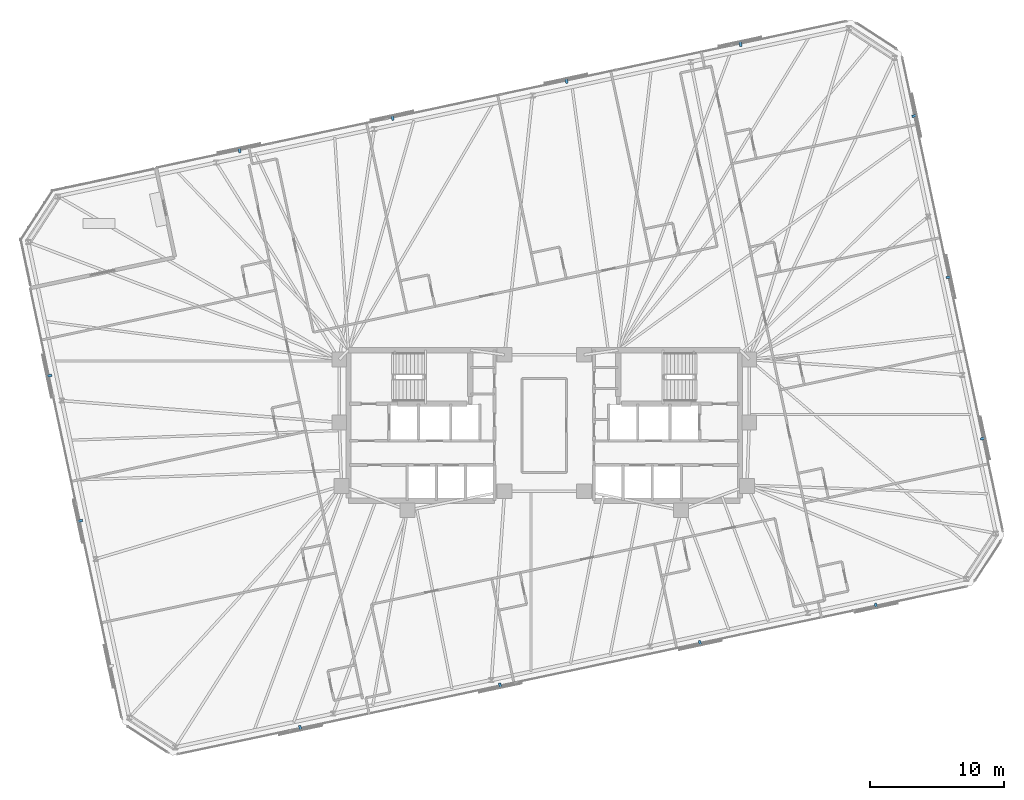
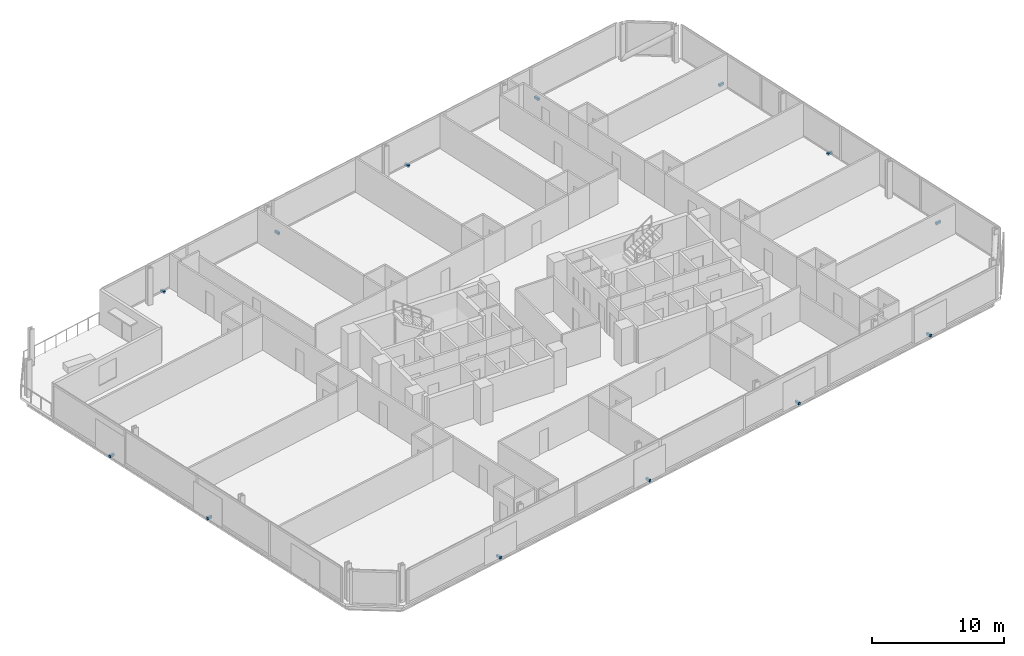
# One storey, part 19 of 20: 13 discrete accessories.
"""IFC4 building model written with IfcOpenShell, lengths in metres."""

from ifc_helpers import new_model, si_unit, direction, frame, origin, origin_2d, place, context, subcontext, project, spatial, rectangle, extrude, material, type_object, element, save


model = new_model("IFC4")

# Units and contexts
model_context = context("Model", 3, precision=1e-05, world=origin(), true_north=direction((0.0, 1.0)))
body_context = subcontext(model_context, "Body", "Model", "MODEL_VIEW")
ifc_project = project(units=[si_unit("LENGTHUNIT", "METRE"), si_unit("AREAUNIT", "SQUARE_METRE"), si_unit("VOLUMEUNIT", "CUBIC_METRE"), si_unit("PLANEANGLEUNIT", "RADIAN"), si_unit("MASSUNIT", "GRAM", prefix="KILO")], contexts=[model_context])

# Site, building, storey
site_placement = place(None, origin())
site = spatial("IfcSite", under=ifc_project, at=site_placement, CompositionType="ELEMENT")
building_placement = place(site_placement, origin())
building = spatial("IfcBuilding", under=site, at=building_placement, Name="Menara Jurai Vektor", CompositionType="ELEMENT")
storey_placement = place(building_placement, frame((0.0, 0.0, 175.199951171875)))
storey = spatial("IfcBuildingStorey", under=building, at=storey_placement, Name="L45", CompositionType="ELEMENT", Elevation=175.199951171875)

# Discrete accessories
ifc_material = material(Name="Steel S355", Category="steel")
discrete_accessory_type = type_object("IfcDiscreteAccessoryType", Name="ENV-ACC-BRACKET", PredefinedType="BRACKET", material=ifc_material)
for number, where, z_axis, x_axis, name in (
    (1, (-36.84619140625, 3.682373046875, -0.1298828125), (0.0, 0.0, 1.0), (0.207911690818, -0.978147600734, 0.0), "Solar Screen Stand-Off Bracket L45-S01"),
    (2, (-34.55224609375, -7.10986328125, -0.1298828125), (0.0, 0.0, 1.0), (0.207911690818, -0.978147600734, 0.0), "Solar Screen Stand-Off Bracket L45-S02"),
    (3, (-18.148193359375, -22.537841796875, -0.1298828125), (0.0, 0.0, 1.0), (0.978147600734, 0.207911690818, 0.0), "Solar Screen Stand-Off Bracket L45-S04"),
    (4, (-3.2802734375, -19.377685546875, -0.1298828125), (0.0, 0.0, 1.0), (0.978147600734, 0.207911690818, 0.0), "Solar Screen Stand-Off Bracket L45-S05"),
    (5, (11.587646484375, -16.21728515625, -0.1298828125), (0.0, 0.0, 1.0), (0.978147600734, 0.207911690818, 0.0), "Solar Screen Stand-Off Bracket L45-S06"),
    (6, (24.67138671875, -13.436279296875, -0.1298828125), (0.0, 0.0, 1.0), (0.978147600734, 0.207911690818, 0.0), "Solar Screen Stand-Off Bracket L45-S07"),
    (7, (32.660400390625, -0.9716796875, -0.1298828125), (0.0, 0.0, 1.0), (-0.207911690818, 0.978147600734, 0.0), "Solar Screen Stand-Off Bracket L45-S08"),
    (8, (30.10986328125, 11.027099609375, -0.1298828125), (0.0, 0.0, 1.0), (-0.207911690818, 0.978147600734, 0.0), "Solar Screen Stand-Off Bracket L45-S09"),
    (9, (27.5595703125, 23.025634765625, -0.1298828125), (0.0, 0.0, 1.0), (-0.207911690818, 0.978147600734, 0.0), "Solar Screen Stand-Off Bracket L45-S10"),
    (10, (14.58447265625, 28.400634765625, -0.1298828125), (0.0, 0.0, 1.0), (-0.978147600734, -0.207911690818, 0.0), "Solar Screen Stand-Off Bracket L45-S11"),
    (11, (1.6484375, 25.651123046875, -0.1298828125), (0.0, 0.0, 1.0), (-0.978147600734, -0.207911690818, 0.0), "Solar Screen Stand-Off Bracket L45-S12"),
    (12, (-11.28759765625, 22.901611328125, -0.1298828125), (0.0, 0.0, 1.0), (-0.978147600734, -0.207911690818, 0.0), "Solar Screen Stand-Off Bracket L45-S13"),
    (13, (-22.671142578125, 20.481689453125, -0.1298828125), (0.0, 0.0, 1.0), (-0.978147600734, -0.207911690818, 0.0), "Solar Screen Stand-Off Bracket L45-S14"),
):
    element("IfcDiscreteAccessory", number, at=place(storey_placement, frame(where, z_axis=z_axis, x_axis=x_axis)), inside=storey, type_object=discrete_accessory_type, Name=name, PredefinedType="BRACKET", context=body_context, shape_type="SweptSolid", body=[
        extrude(rectangle(XDim=0.179931640625, YDim=0.43994140625, at=origin_2d()), origin(), (0.0, 0.0, 1.0), 0.219970703125),
    ])

save(model, "model.ifc")
